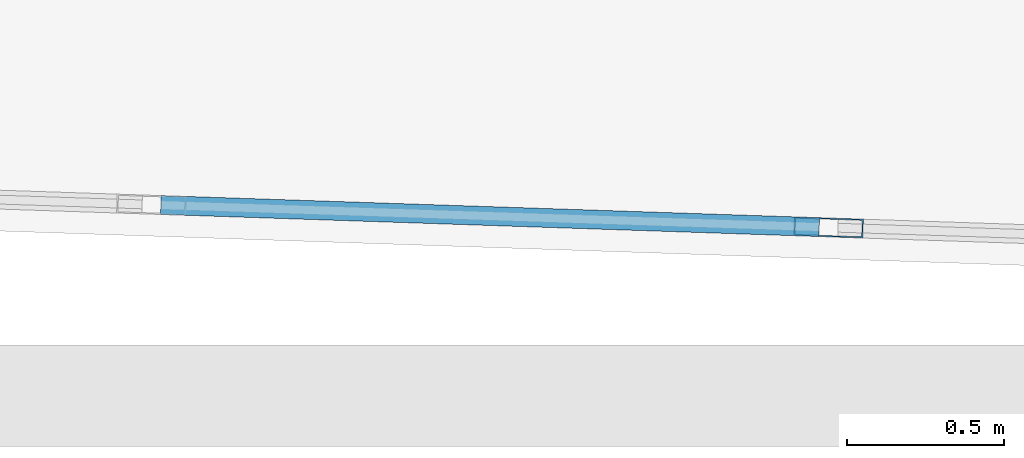
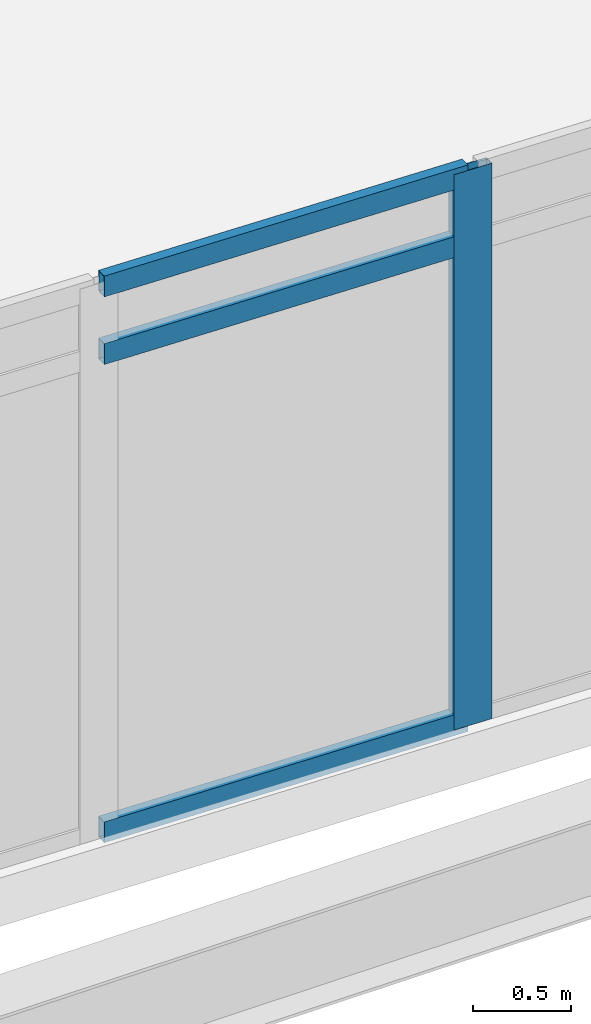
# One storey, part 3 of 37: 4 members, 1 element without a shape of its own.
"""IFC4 building model written with IfcOpenShell, lengths in metres."""

from ifc_helpers import new_model, si_unit, direction, frame, origin, origin_2d, place, context, subcontext, project, spatial, hollow_rectangle, extrude, material, material_profile, profile_set, type_object, element, aggregate, save


model = new_model("IFC4")

# Units and contexts
model_context = context("Model", 3, precision=1e-05, world=origin(), true_north=direction((0.0, 1.0)))
body_context = subcontext(model_context, "Body", "Model", "MODEL_VIEW")
ifc_project = project(units=[si_unit("LENGTHUNIT", "METRE"), si_unit("AREAUNIT", "SQUARE_METRE"), si_unit("VOLUMEUNIT", "CUBIC_METRE"), si_unit("PLANEANGLEUNIT", "RADIAN"), si_unit("MASSUNIT", "GRAM", prefix="KILO")], contexts=[model_context])

# Site, building, storey
site_placement = place(None, origin())
site = spatial("IfcSite", under=ifc_project, at=site_placement, CompositionType="ELEMENT")
building_placement = place(site_placement, origin())
building = spatial("IfcBuilding", under=site, at=building_placement, Name="Ostrander Bayou Hotel Tower", CompositionType="ELEMENT")
storey_placement = place(building_placement, frame((0.0, 0.0, 198.25)))
storey = spatial("IfcBuildingStorey", under=building, at=storey_placement, Name="L49", CompositionType="ELEMENT", Elevation=198.25)

# Curtain wall, members
ifc_material_1 = material(Name="Aluminium and clear glass", Category="aluminium")
curtain_wall_type = type_object("IfcCurtainWallType", Name="CW-BAR glazed wall", PredefinedType="NOTDEFINED", material=ifc_material_1)
curtain_wall_placement = place(storey_placement, origin())
curtain_wall = element("IfcCurtainWall", 1, at=curtain_wall_placement, inside=storey, type_object=curtain_wall_type, Name="CW-BAR L49:SB4S:T", PredefinedType="NOTDEFINED")
ifc_material_2 = material(Name="Aluminium", Category="aluminium")
ifc_material_profile_1 = material_profile(ifc_material_2, hollow_rectangle(XDim=0.06005859375, YDim=0.219970703125, WallThickness=0.00390625, at=origin_2d()))
ifc_profile_set_1 = profile_set([ifc_material_profile_1], Name="Aluminium")
member_type_1 = type_object("IfcMemberType", Name="CW-BR mullion 60 x 220 mm", PredefinedType="MULLION", material=ifc_profile_set_1)
member_1_placement = place(storey_placement, frame((-1.077880859375, -29.61376953125, 0.0), z_axis=(0.0, 0.0, 1.0), x_axis=(0.03350511268, 0.999438546097, 0.0)))
member_1 = element("IfcMember", 2, at=member_1_placement, type_object=member_type_1, Name="CW-BAR mullion 6", PredefinedType="MULLION", context=body_context, shape_type="SweptSolid", body=[
    extrude(hollow_rectangle(XDim=0.06005859375, YDim=0.219970703125, WallThickness=0.00390625, at=origin_2d()), origin(), (0.0, 0.0, 1.0), 3.449951171875),
])
ifc_material_3 = material(Name="Aluminium", Category="aluminium")
ifc_material_profile_2 = material_profile(ifc_material_3, hollow_rectangle(XDim=0.06005859375, YDim=0.1298828125, WallThickness=0.00390625, at=origin_2d()))
ifc_profile_set_2 = profile_set([ifc_material_profile_2], Name="Aluminium")
member_type_2 = type_object("IfcMemberType", Name="CW-BR transom 60 x 130 mm", PredefinedType="USERDEFINED", material=ifc_profile_set_2)
member_2_placement = place(storey_placement, frame((-3.203857421875, -29.54248046875, 0.030029296875), z_axis=(0.99943777778, -0.033528023297, 0.0), x_axis=(0.033528023297, 0.99943777778, 0.0)))
member_2 = element("IfcMember", 3, at=member_2_placement, type_object=member_type_2, Name="CW-BAR transom 5.1", ObjectType="TRANSOM", PredefinedType="USERDEFINED", context=body_context, shape_type="SweptSolid", body=[
    extrude(hollow_rectangle(XDim=0.06005859375, YDim=0.1298828125, WallThickness=0.00390625, at=origin_2d()), origin(), (0.0, 0.0, 1.0), 2.09716796875),
])
member_3_placement = place(storey_placement, frame((-3.203857421875, -29.54248046875, 3.0), z_axis=(0.99943777778, -0.033528023297, 0.0), x_axis=(0.033528023297, 0.99943777778, 0.0)))
member_3 = element("IfcMember", 4, at=member_3_placement, type_object=member_type_2, Name="CW-BAR transom 5.2", ObjectType="TRANSOM", PredefinedType="USERDEFINED", context=body_context, shape_type="SweptSolid", body=[
    extrude(hollow_rectangle(XDim=0.06005859375, YDim=0.1298828125, WallThickness=0.00390625, at=origin_2d()), origin(), (0.0, 0.0, 1.0), 2.09716796875),
])
member_4_placement = place(storey_placement, frame((-3.203857421875, -29.54248046875, 3.419921875), z_axis=(0.99943777778, -0.033528023297, 0.0), x_axis=(0.033528023297, 0.99943777778, 0.0)))
member_4 = element("IfcMember", 5, at=member_4_placement, type_object=member_type_2, Name="CW-BAR transom 5.3", ObjectType="TRANSOM", PredefinedType="USERDEFINED", context=body_context, shape_type="SweptSolid", body=[
    extrude(hollow_rectangle(XDim=0.06005859375, YDim=0.1298828125, WallThickness=0.00390625, at=origin_2d()), origin(), (0.0, 0.0, 1.0), 2.09716796875),
])
aggregate(curtain_wall, [member_1, member_2, member_3, member_4])

save(model, "model.ifc")
